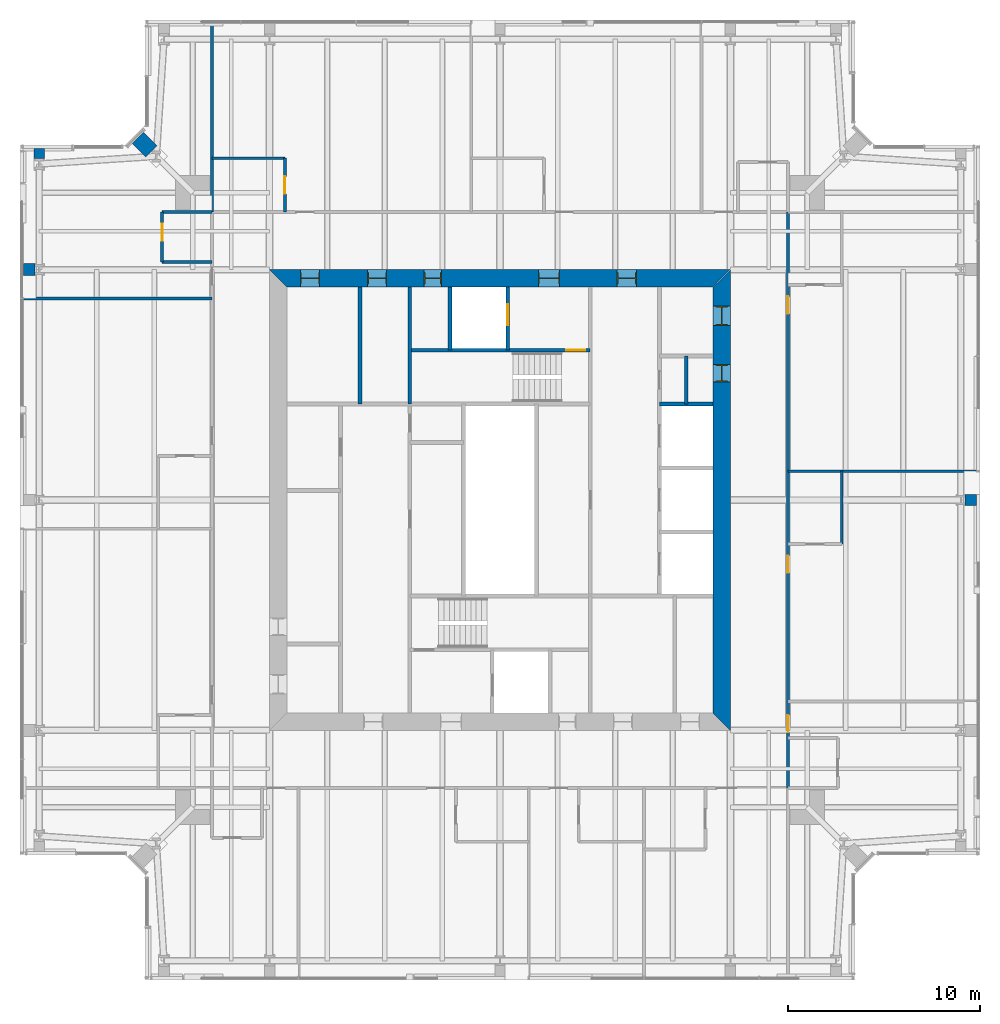
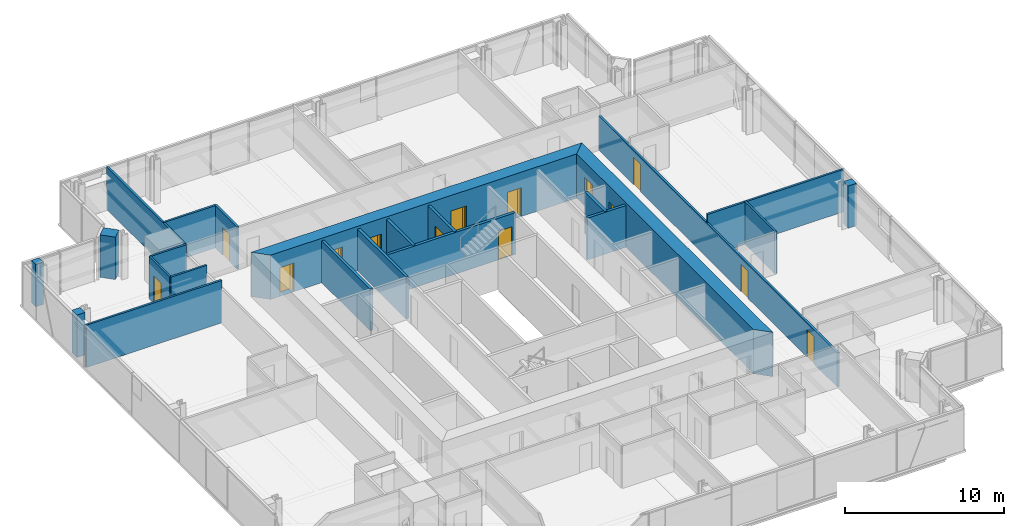
# One storey, part 13 of 20: 23 walls, 14 doors, 14 openings.
"""IFC4 building model written with IfcOpenShell, lengths in metres."""

from ifc_helpers import new_model, si_unit, direction, frame, frame_2d, origin, place, context, subcontext, project, spatial, polyline, rectangle, outline, extrude, material, layer, layer_set, type_object, element, fill, save


model = new_model("IFC4")

# Units and contexts
model_context = context("Model", 3, precision=1e-05, world=origin(), true_north=direction((0.0, 1.0)))
body_context = subcontext(model_context, "Body", "Model", "MODEL_VIEW")
ifc_project = project(units=[si_unit("LENGTHUNIT", "METRE"), si_unit("AREAUNIT", "SQUARE_METRE"), si_unit("VOLUMEUNIT", "CUBIC_METRE"), si_unit("PLANEANGLEUNIT", "RADIAN"), si_unit("MASSUNIT", "GRAM", prefix="KILO")], contexts=[model_context])

# Site, building, storey
site_placement = place(None, origin())
site = spatial("IfcSite", under=ifc_project, at=site_placement, CompositionType="ELEMENT")
building_placement = place(site_placement, origin())
building = spatial("IfcBuilding", under=site, at=building_placement, Name="Fenwick Lantern Interchange", CompositionType="ELEMENT")
storey_placement = place(building_placement, frame((0.0, 0.0, 279.800048828125)))
storey = spatial("IfcBuildingStorey", under=building, at=storey_placement, Name="L67", CompositionType="ELEMENT", Elevation=279.800048828125)

# Walls
ifc_material_1 = material(Name="Fire-rated gypsum board encasement on steel studs, 2 hour", Category="steel")
ifc_layer_1 = layer(ifc_material_1, 0.554931640625)
ifc_layer_set_1 = layer_set([ifc_layer_1], Name="COLUMN PIER 555")
wall_type_1 = type_object("IfcWallType", Name="COLUMN PIER 555", PredefinedType="PARTITIONING", material=ifc_layer_set_1)
wall_1_placement = place(storey_placement, frame((1.0, 43.31005859375, 0.0), z_axis=(0.0, 0.0, 1.0), x_axis=(0.0, -1.0, 0.0)))
element("IfcWall", 1, at=wall_1_placement, inside=storey, type_object=wall_type_1, Name="L67/W/PIER/CW1", PredefinedType="PARTITIONING", context=body_context, shape_type="SweptSolid", body=[
    extrude(rectangle(XDim=0.525634765625, YDim=0.554931640625, at=frame_2d((0.2626953125, 0.0))), origin(), (0.0, 0.0, 1.0), 3.25),
])
ifc_layer_2 = layer(ifc_material_1, 0.574951171875)
ifc_layer_set_2 = layer_set([ifc_layer_2], Name="COLUMN PIER 575")
wall_type_2 = type_object("IfcWallType", Name="COLUMN PIER 575", PredefinedType="PARTITIONING", material=ifc_layer_set_2)
wall_2_placement = place(storey_placement, frame((49.81005859375, 25.0, 0.0), z_axis=(0.0, 0.0, 1.0), x_axis=(-1.0, 0.0, 0.0)))
element("IfcWall", 2, at=wall_2_placement, inside=storey, type_object=wall_type_2, Name="L67/W/PIER/CE3", PredefinedType="PARTITIONING", context=body_context, shape_type="SweptSolid", body=[
    extrude(rectangle(XDim=0.597900390625, YDim=0.574951171875, at=frame_2d((0.298828125, 0.0))), origin(), (0.0, 0.0, 1.0), 3.25),
])
ifc_layer_3 = layer(ifc_material_1, 0.631103515625)
ifc_layer_set_3 = layer_set([ifc_layer_3], Name="COLUMN PIER 631")
wall_type_3 = type_object("IfcWallType", Name="COLUMN PIER 631", PredefinedType="PARTITIONING", material=ifc_layer_set_3)
wall_3_placement = place(storey_placement, frame((0.18994140625, 37.0, 0.0), z_axis=(0.0, 0.0, 1.0), x_axis=(1.0, 0.0, 0.0)))
element("IfcWall", 3, at=wall_3_placement, inside=storey, type_object=wall_type_3, Name="L67/W/PIER/CW2", PredefinedType="PARTITIONING", context=body_context, shape_type="SweptSolid", body=[
    extrude(rectangle(XDim=0.589111328125, YDim=0.631103515625, at=frame_2d((0.29443359375, 0.0))), origin(), (0.0, 0.0, 1.0), 3.25),
])
ifc_layer_4 = layer(ifc_material_1, 0.823974609375)
ifc_layer_set_4 = layer_set([ifc_layer_4], Name="COLUMN PIER 824")
wall_type_4 = type_object("IfcWallType", Name="COLUMN PIER 824", PredefinedType="PARTITIONING", material=ifc_layer_set_4)
wall_4_placement = place(storey_placement, frame((6.13427734375, 43.86572265625, 0.0), z_axis=(0.0, 0.0, 1.0), x_axis=(0.707106781187, -0.707106781187, 0.0)))
element("IfcWall", 4, at=wall_4_placement, inside=storey, type_object=wall_type_4, Name="L67/W/PIER/CNR", PredefinedType="PARTITIONING", context=body_context, shape_type="SweptSolid", body=[
    extrude(rectangle(XDim=1.003662109375, YDim=0.823974609375, at=frame_2d((0.501953125, 0.0))), origin(), (0.0, 0.0, 1.0), 3.25),
])
ifc_material_2 = material(Name="Concrete masonry ASTM C90 Grade N", Category="masonry")
ifc_layer_5 = layer(ifc_material_2, 0.199951171875)
ifc_layer_set_5 = layer_set([ifc_layer_5], Name="Concrete masonry ASTM C90 Grade N")
wall_type_5 = type_object("IfcWallType", Name="CORE PARTITION 200", PredefinedType="PARTITIONING", material=ifc_layer_set_5)
wall_5_placement = place(storey_placement, frame((36.10009765625, 30.0, 0.0), z_axis=(0.0, 0.0, 1.0), x_axis=(-1.0, 0.0, 0.0)))
element("IfcWall", 5, at=wall_5_placement, inside=storey, type_object=wall_type_5, Name="L67/W/COREN/c2", PredefinedType="PARTITIONING", context=body_context, shape_type="SweptSolid", body=[
    extrude(rectangle(XDim=2.800048828125, YDim=0.199951171875, at=frame_2d((1.39990234375, 0.0))), origin(), (0.0, 0.0, 1.0), 3.199951171875),
])

# Wall, opening, door
wall_6_placement = place(storey_placement, frame((25.39990234375, 36.10009765625, 0.0), z_axis=(0.0, 0.0, 1.0), x_axis=(0.0, -1.0, 0.0)))
wall_6 = element("IfcWall", 6, at=wall_6_placement, inside=storey, type_object=wall_type_5, Name="L67/W/COREN/h1", PredefinedType="PARTITIONING", context=body_context, shape_type="SweptSolid", body=[
    extrude(rectangle(XDim=3.300048828125, YDim=0.199951171875, at=frame_2d((1.64990234375, 0.0))), origin(), (0.0, 0.0, 1.0), 3.199951171875),
])
opening_1_placement = place(wall_6_placement, frame((0.89990234375, 0.0, 0.0)))
opening_1 = element("IfcOpeningElement", 7, at=opening_1_placement, cuts=wall_6, Name="Opening LD-FL2", PredefinedType="OPENING", context=body_context, shape_type="SweptSolid", body=[
    extrude(rectangle(XDim=1.10009765625, YDim=2.199951171875, at=frame_2d((0.550048828125, 1.10009765625))), frame((0.0, 0.10986328125, 0.0), z_axis=(0.0, -1.0, 0.0), x_axis=(1.0, 0.0, 0.0)), (0.0, 0.0, 1.0), 0.219970703125),
])
ifc_material_3 = material(Name="Steel door and frame", Category="steel")
door_type_1 = type_object("IfcDoorType", Name="LIFT LANDING DOOR 1100 X 2200", OperationType="DOUBLE_DOOR_SLIDING", PredefinedType="DOOR", material=ifc_material_3)
door_1_placement = place(opening_1_placement, origin())
door_1 = element("IfcDoor", 8, at=door_1_placement, inside=storey, type_object=door_type_1, Name="Lift landing door FL2", OperationType="DOUBLE_DOOR_SLIDING", OverallHeight=2.199951171875, OverallWidth=1.10009765625, PredefinedType="DOOR", context=body_context, shape_type="SweptSolid", body=[
    extrude(rectangle(XDim=1.10009765625, YDim=2.199951171875, at=frame_2d((0.550048828125, 1.10009765625))), frame((0.0, 0.02490234375, 0.0), z_axis=(0.0, -1.0, 0.0), x_axis=(1.0, 0.0, 0.0)), (0.0, 0.0, 1.0), 0.050048828125),
])
fill(opening_1, door_1)

# Walls
wall_7_placement = place(storey_placement, frame((22.39990234375, 36.10009765625, 0.0), z_axis=(0.0, 0.0, 1.0), x_axis=(0.0, -1.0, 0.0)))
element("IfcWall", 9, at=wall_7_placement, inside=storey, type_object=wall_type_5, Name="L67/W/COREN/h2", PredefinedType="PARTITIONING", context=body_context, shape_type="SweptSolid", body=[
    extrude(rectangle(XDim=3.300048828125, YDim=0.199951171875, at=frame_2d((1.64990234375, 0.0))), origin(), (0.0, 0.0, 1.0), 3.199951171875),
])
wall_8_placement = place(storey_placement, frame((17.699951171875, 36.10009765625, 0.0), z_axis=(0.0, 0.0, 1.0), x_axis=(0.0, -1.0, 0.0)))
element("IfcWall", 10, at=wall_8_placement, inside=storey, type_object=wall_type_5, Name="L67/W/COREN/i2", PredefinedType="PARTITIONING", context=body_context, shape_type="SweptSolid", body=[
    extrude(rectangle(XDim=6.10009765625, YDim=0.199951171875, at=frame_2d((3.050048828125, 0.0))), origin(), (0.0, 0.0, 1.0), 3.199951171875),
])
wall_9_placement = place(storey_placement, frame((34.699951171875, 32.5, 0.0), z_axis=(0.0, 0.0, 1.0), x_axis=(0.0, -1.0, 0.0)))
element("IfcWall", 11, at=wall_9_placement, inside=storey, type_object=wall_type_5, Name="L67/W/COREN/px", PredefinedType="PARTITIONING", context=body_context, shape_type="SweptSolid", body=[
    extrude(rectangle(XDim=2.5, YDim=0.199951171875, at=frame_2d((1.25, 0.0))), origin(), (0.0, 0.0, 1.0), 3.199951171875),
])

# Wall, openings, doors
ifc_material_4 = material(Name="Concrete f'c 70 MPa", Category="concrete")
ifc_layer_6 = layer(ifc_material_4, 0.89990234375)
ifc_layer_set_6 = layer_set([ifc_layer_6], Name="CORE WALL 900")
wall_type_6 = type_object("IfcWallType", Name="CORE WALL 900", PredefinedType="SHEAR", material=ifc_layer_set_6)
wall_10_placement = place(storey_placement, frame((36.550048828125, 13.89990234375, 0.0), z_axis=(0.0, 0.0, 1.0), x_axis=(0.0, 1.0, 0.0)))
wall_10 = element("IfcWall", 12, at=wall_10_placement, inside=storey, type_object=wall_type_6, Name="L67/CORE/E", PredefinedType="SHEAR", context=body_context, shape_type="SweptSolid", body=[
    extrude(outline(polyline([(-0.89990234375, -0.449951171875), (23.10009765625, -0.449951171875), (22.199951171875, 0.449951171875), (0.0, 0.449951171875), (-0.89990234375, -0.449951171875)])), origin(), (0.0, 0.0, 1.0), 3.39990234375),
])
opening_2_placement = place(wall_10_placement, frame((20.199951171875, 0.0, 0.0)))
opening_2 = element("IfcOpeningElement", 13, at=opening_2_placement, cuts=wall_10, Name="Opening L67-D018", PredefinedType="OPENING", context=body_context, shape_type="SweptSolid", body=[
    extrude(rectangle(XDim=1.0, YDim=2.199951171875, at=frame_2d((0.5, 1.10009765625))), frame((0.0, 0.4599609375, 0.0), z_axis=(0.0, -1.0, 0.0), x_axis=(1.0, 0.0, 0.0)), (0.0, 0.0, 1.0), 0.919921875),
])
opening_3_placement = place(wall_10_placement, frame((17.25, 0.0, 0.0)))
opening_3 = element("IfcOpeningElement", 14, at=opening_3_placement, cuts=wall_10, Name="Opening L67-D020", PredefinedType="OPENING", context=body_context, shape_type="SweptSolid", body=[
    extrude(rectangle(XDim=0.89990234375, YDim=2.199951171875, at=frame_2d((0.449951171875, 1.10009765625))), frame((0.0, 0.4599609375, 0.0), z_axis=(0.0, -1.0, 0.0), x_axis=(1.0, 0.0, 0.0)), (0.0, 0.0, 1.0), 0.919921875),
])
door_type_2 = type_object("IfcDoorType", Name="SERVICE DOOR 900 X 2200", OperationType="SINGLE_SWING_LEFT", PredefinedType="DOOR", material=ifc_material_3)
door_2_placement = place(opening_3_placement, origin())
door_2 = element("IfcDoor", 15, at=door_2_placement, inside=storey, type_object=door_type_2, Name="Service door", OperationType="SINGLE_SWING_RIGHT", OverallHeight=2.199951171875, OverallWidth=0.89990234375, PredefinedType="DOOR", context=body_context, shape_type="SweptSolid", body=[
    extrude(rectangle(XDim=0.89990234375, YDim=2.199951171875, at=frame_2d((0.449951171875, 1.10009765625))), frame((0.0, 0.02490234375, 0.0), z_axis=(0.0, -1.0, 0.0), x_axis=(1.0, 0.0, 0.0)), (0.0, 0.0, 1.0), 0.050048828125),
    extrude(outline(polyline([(0.0, 0.0), (0.0400390625, 0.0), (0.0400390625, 2.159912109375), (0.85986328125, 2.159912109375), (0.85986328125, 0.0), (0.89990234375, 0.0), (0.89990234375, 2.199951171875), (0.0, 2.199951171875), (0.0, 0.0)])), frame((0.0, 0.300048828125, 0.0), z_axis=(0.0, -1.0, 0.0), x_axis=(1.0, 0.0, 0.0)), (0.0, 0.0, 1.0), 0.60009765625),
])
fill(opening_3, door_2)
ifc_material_5 = material(Name="Hardwood door and steel frame", Category="steel")
door_type_3 = type_object("IfcDoorType", Name="WC DOOR 1000 X 2200", OperationType="SINGLE_SWING_LEFT", PredefinedType="DOOR", material=ifc_material_5)
door_3_placement = place(opening_2_placement, origin())
door_3 = element("IfcDoor", 16, at=door_3_placement, inside=storey, type_object=door_type_3, Name="Wc door", OperationType="SINGLE_SWING_RIGHT", OverallHeight=2.199951171875, OverallWidth=1.0, PredefinedType="DOOR", context=body_context, shape_type="SweptSolid", body=[
    extrude(rectangle(XDim=1.0, YDim=2.199951171875, at=frame_2d((0.5, 1.10009765625))), frame((0.0, 0.02490234375, 0.0), z_axis=(0.0, -1.0, 0.0), x_axis=(1.0, 0.0, 0.0)), (0.0, 0.0, 1.0), 0.050048828125),
    extrude(outline(polyline([(0.0, 0.0), (0.0400390625, 0.0), (0.0400390625, 2.159912109375), (0.9599609375, 2.159912109375), (0.9599609375, 0.0), (1.0, 0.0), (1.0, 2.199951171875), (0.0, 2.199951171875), (0.0, 0.0)])), frame((0.0, 0.300048828125, 0.0), z_axis=(0.0, -1.0, 0.0), x_axis=(1.0, 0.0, 0.0)), (0.0, 0.0, 1.0), 0.60009765625),
])
fill(opening_2, door_3)

wall_11_placement = place(storey_placement, frame((37.0, 36.550048828125, 0.0), z_axis=(0.0, 0.0, 1.0), x_axis=(-1.0, 0.0, 0.0)))
wall_11 = element("IfcWall", 17, at=wall_11_placement, inside=storey, type_object=wall_type_6, Name="L67/CORE/N", PredefinedType="SHEAR", context=body_context, shape_type="SweptSolid", body=[
    extrude(outline(polyline([(0.0, -0.449951171875), (24.0, -0.449951171875), (23.10009765625, 0.449951171875), (0.89990234375, 0.449951171875), (0.0, -0.449951171875)])), origin(), (0.0, 0.0, 1.0), 3.39990234375),
])
opening_4_placement = place(wall_11_placement, frame((4.89990234375, 0.0, 0.0)))
opening_4 = element("IfcOpeningElement", 18, at=opening_4_placement, cuts=wall_11, Name="Opening L67-D012", PredefinedType="OPENING", context=body_context, shape_type="SweptSolid", body=[
    extrude(rectangle(XDim=1.0, YDim=2.199951171875, at=frame_2d((0.5, 1.10009765625))), frame((0.0, 0.4599609375, 0.0), z_axis=(0.0, -1.0, 0.0), x_axis=(1.0, 0.0, 0.0)), (0.0, 0.0, 1.0), 0.919921875),
])
opening_5_placement = place(wall_11_placement, frame((8.89990234375, 0.0, 0.0)))
opening_5 = element("IfcOpeningElement", 19, at=opening_5_placement, cuts=wall_11, Name="Opening L67-D013", PredefinedType="OPENING", context=body_context, shape_type="SweptSolid", body=[
    extrude(rectangle(XDim=1.10009765625, YDim=2.199951171875, at=frame_2d((0.550048828125, 1.10009765625))), frame((0.0, 0.4599609375, 0.0), z_axis=(0.0, -1.0, 0.0), x_axis=(1.0, 0.0, 0.0)), (0.0, 0.0, 1.0), 0.919921875),
])
opening_6_placement = place(wall_11_placement, frame((15.050048828125, 0.0, 0.0)))
opening_6 = element("IfcOpeningElement", 20, at=opening_6_placement, cuts=wall_11, Name="Opening L67-D015", PredefinedType="OPENING", context=body_context, shape_type="SweptSolid", body=[
    extrude(rectangle(XDim=0.89990234375, YDim=2.199951171875, at=frame_2d((0.449951171875, 1.10009765625))), frame((0.0, 0.4599609375, 0.0), z_axis=(0.0, -1.0, 0.0), x_axis=(1.0, 0.0, 0.0)), (0.0, 0.0, 1.0), 0.919921875),
])
opening_7_placement = place(wall_11_placement, frame((17.89990234375, 0.0, 0.0)))
opening_7 = element("IfcOpeningElement", 21, at=opening_7_placement, cuts=wall_11, Name="Opening L67-D016", PredefinedType="OPENING", context=body_context, shape_type="SweptSolid", body=[
    extrude(rectangle(XDim=1.0, YDim=2.199951171875, at=frame_2d((0.5, 1.10009765625))), frame((0.0, 0.4599609375, 0.0), z_axis=(0.0, -1.0, 0.0), x_axis=(1.0, 0.0, 0.0)), (0.0, 0.0, 1.0), 0.919921875),
])
opening_8_placement = place(wall_11_placement, frame((21.39990234375, 0.0, 0.0)))
opening_8 = element("IfcOpeningElement", 22, at=opening_8_placement, cuts=wall_11, Name="Opening L67-D017", PredefinedType="OPENING", context=body_context, shape_type="SweptSolid", body=[
    extrude(rectangle(XDim=1.0, YDim=2.199951171875, at=frame_2d((0.5, 1.10009765625))), frame((0.0, 0.4599609375, 0.0), z_axis=(0.0, -1.0, 0.0), x_axis=(1.0, 0.0, 0.0)), (0.0, 0.0, 1.0), 0.919921875),
])
door_type_4 = type_object("IfcDoorType", Name="CORE LOBBY DOOR 1000 X 2200", OperationType="SINGLE_SWING_LEFT", PredefinedType="DOOR", material=ifc_material_3)
door_4_placement = place(opening_4_placement, origin())
door_4 = element("IfcDoor", 23, at=door_4_placement, inside=storey, type_object=door_type_4, Name="Core lobby door", OperationType="SINGLE_SWING_LEFT", OverallHeight=2.199951171875, OverallWidth=1.0, PredefinedType="DOOR", context=body_context, shape_type="SweptSolid", body=[
    extrude(rectangle(XDim=1.0, YDim=2.199951171875, at=frame_2d((0.5, 1.10009765625))), frame((0.0, 0.02490234375, 0.0), z_axis=(0.0, -1.0, 0.0), x_axis=(1.0, 0.0, 0.0)), (0.0, 0.0, 1.0), 0.050048828125),
    extrude(outline(polyline([(0.0, 0.0), (0.0400390625, 0.0), (0.0400390625, 2.159912109375), (0.9599609375, 2.159912109375), (0.9599609375, 0.0), (1.0, 0.0), (1.0, 2.199951171875), (0.0, 2.199951171875), (0.0, 0.0)])), frame((0.0, 0.300048828125, 0.0), z_axis=(0.0, -1.0, 0.0), x_axis=(1.0, 0.0, 0.0)), (0.0, 0.0, 1.0), 0.60009765625),
])
fill(opening_4, door_4)
door_type_5 = type_object("IfcDoorType", Name="FIRE LOBBY DOOR 1100 X 2200", OperationType="SINGLE_SWING_LEFT", PredefinedType="DOOR", material=ifc_material_3)
door_5_placement = place(opening_5_placement, origin())
door_5 = element("IfcDoor", 24, at=door_5_placement, inside=storey, type_object=door_type_5, Name="Fire lobby door", OperationType="SINGLE_SWING_LEFT", OverallHeight=2.199951171875, OverallWidth=1.10009765625, PredefinedType="DOOR", context=body_context, shape_type="SweptSolid", body=[
    extrude(rectangle(XDim=1.10009765625, YDim=2.199951171875, at=frame_2d((0.550048828125, 1.10009765625))), frame((0.0, 0.02490234375, 0.0), z_axis=(0.0, -1.0, 0.0), x_axis=(1.0, 0.0, 0.0)), (0.0, 0.0, 1.0), 0.050048828125),
    extrude(outline(polyline([(0.0, 0.0), (0.0400390625, 0.0), (0.0400390625, 2.159912109375), (1.06005859375, 2.159912109375), (1.06005859375, 0.0), (1.10009765625, 0.0), (1.10009765625, 2.199951171875), (0.0, 2.199951171875), (0.0, 0.0)])), frame((0.0, 0.300048828125, 0.0), z_axis=(0.0, -1.0, 0.0), x_axis=(1.0, 0.0, 0.0)), (0.0, 0.0, 1.0), 0.60009765625),
])
fill(opening_5, door_5)
door_6_placement = place(opening_6_placement, origin())
door_6 = element("IfcDoor", 25, at=door_6_placement, inside=storey, type_object=door_type_2, Name="Service door", OperationType="SINGLE_SWING_LEFT", OverallHeight=2.199951171875, OverallWidth=0.89990234375, PredefinedType="DOOR", context=body_context, shape_type="SweptSolid", body=[
    extrude(rectangle(XDim=0.89990234375, YDim=2.199951171875, at=frame_2d((0.449951171875, 1.10009765625))), frame((0.0, 0.02490234375, 0.0), z_axis=(0.0, -1.0, 0.0), x_axis=(1.0, 0.0, 0.0)), (0.0, 0.0, 1.0), 0.050048828125),
    extrude(outline(polyline([(0.0, 0.0), (0.0400390625, 0.0), (0.0400390625, 2.159912109375), (0.85986328125, 2.159912109375), (0.85986328125, 0.0), (0.89990234375, 0.0), (0.89990234375, 2.199951171875), (0.0, 2.199951171875), (0.0, 0.0)])), frame((0.0, 0.300048828125, 0.0), z_axis=(0.0, -1.0, 0.0), x_axis=(1.0, 0.0, 0.0)), (0.0, 0.0, 1.0), 0.60009765625),
])
fill(opening_6, door_6)
door_7_placement = place(opening_7_placement, origin())
door_7 = element("IfcDoor", 26, at=door_7_placement, inside=storey, type_object=door_type_3, Name="Wc door", OperationType="SINGLE_SWING_RIGHT", OverallHeight=2.199951171875, OverallWidth=1.0, PredefinedType="DOOR", context=body_context, shape_type="SweptSolid", body=[
    extrude(rectangle(XDim=1.0, YDim=2.199951171875, at=frame_2d((0.5, 1.10009765625))), frame((0.0, 0.02490234375, 0.0), z_axis=(0.0, -1.0, 0.0), x_axis=(1.0, 0.0, 0.0)), (0.0, 0.0, 1.0), 0.050048828125),
    extrude(outline(polyline([(0.0, 0.0), (0.0400390625, 0.0), (0.0400390625, 2.159912109375), (0.9599609375, 2.159912109375), (0.9599609375, 0.0), (1.0, 0.0), (1.0, 2.199951171875), (0.0, 2.199951171875), (0.0, 0.0)])), frame((0.0, 0.300048828125, 0.0), z_axis=(0.0, -1.0, 0.0), x_axis=(1.0, 0.0, 0.0)), (0.0, 0.0, 1.0), 0.60009765625),
])
fill(opening_7, door_7)
door_8_placement = place(opening_8_placement, origin())
door_8 = element("IfcDoor", 27, at=door_8_placement, inside=storey, type_object=door_type_3, Name="Wc door", OperationType="SINGLE_SWING_RIGHT", OverallHeight=2.199951171875, OverallWidth=1.0, PredefinedType="DOOR", context=body_context, shape_type="SweptSolid", body=[
    extrude(rectangle(XDim=1.0, YDim=2.199951171875, at=frame_2d((0.5, 1.10009765625))), frame((0.0, 0.02490234375, 0.0), z_axis=(0.0, -1.0, 0.0), x_axis=(1.0, 0.0, 0.0)), (0.0, 0.0, 1.0), 0.050048828125),
    extrude(outline(polyline([(0.0, 0.0), (0.0400390625, 0.0), (0.0400390625, 2.159912109375), (0.9599609375, 2.159912109375), (0.9599609375, 0.0), (1.0, 0.0), (1.0, 2.199951171875), (0.0, 2.199951171875), (0.0, 0.0)])), frame((0.0, 0.300048828125, 0.0), z_axis=(0.0, -1.0, 0.0), x_axis=(1.0, 0.0, 0.0)), (0.0, 0.0, 1.0), 0.60009765625),
])
fill(opening_8, door_8)

ifc_material_6 = material(Name="Gypsum board on steel studs, 1 hour", Category="steel")
ifc_layer_7 = layer(ifc_material_6, 0.14990234375)
ifc_layer_set_7 = layer_set([ifc_layer_7], Name="CORRIDOR WALL 150")
wall_type_7 = type_object("IfcWallType", Name="CORRIDOR WALL 150", PredefinedType="PARTITIONING", material=ifc_layer_set_7)
wall_12_placement = place(storey_placement, frame((40.0, 10.0, 0.0), z_axis=(0.0, 0.0, 1.0), x_axis=(0.0, 1.0, 0.0)))
wall_12 = element("IfcWall", 28, at=wall_12_placement, inside=storey, type_object=wall_type_7, Name="L67/W/HOTEL/E/CW", PredefinedType="PARTITIONING", context=body_context, shape_type="SweptSolid", body=[
    extrude(rectangle(XDim=30.0, YDim=0.14990234375, at=frame_2d((15.0, 0.0))), origin(), (0.0, 0.0, 1.0), 2.6376953125),
])
opening_9_placement = place(wall_12_placement, frame((2.89990234375, 0.0, 0.0)))
opening_9 = element("IfcOpeningElement", 29, at=opening_9_placement, cuts=wall_12, Name="Opening L67-D030", PredefinedType="OPENING", context=body_context, shape_type="SweptSolid", body=[
    extrude(rectangle(XDim=0.89990234375, YDim=2.10009765625, at=frame_2d((0.449951171875, 1.050048828125))), frame((0.0, 0.0849609375, 0.0), z_axis=(0.0, -1.0, 0.0), x_axis=(1.0, 0.0, 0.0)), (0.0, 0.0, 1.0), 0.169921875),
])
opening_10_placement = place(wall_12_placement, frame((11.199951171875, 0.0, 0.0)))
opening_10 = element("IfcOpeningElement", 30, at=opening_10_placement, cuts=wall_12, Name="Opening L67-D033", PredefinedType="OPENING", context=body_context, shape_type="SweptSolid", body=[
    extrude(rectangle(XDim=0.89990234375, YDim=2.10009765625, at=frame_2d((0.449951171875, 1.050048828125))), frame((0.0, 0.0849609375, 0.0), z_axis=(0.0, -1.0, 0.0), x_axis=(1.0, 0.0, 0.0)), (0.0, 0.0, 1.0), 0.169921875),
])
opening_11_placement = place(wall_12_placement, frame((24.699951171875, 0.0, 0.0)))
opening_11 = element("IfcOpeningElement", 31, at=opening_11_placement, cuts=wall_12, Name="Opening L67-D035", PredefinedType="OPENING", context=body_context, shape_type="SweptSolid", body=[
    extrude(rectangle(XDim=0.89990234375, YDim=2.10009765625, at=frame_2d((0.449951171875, 1.050048828125))), frame((0.0, 0.0849609375, 0.0), z_axis=(0.0, -1.0, 0.0), x_axis=(1.0, 0.0, 0.0)), (0.0, 0.0, 1.0), 0.169921875),
])
door_type_6 = type_object("IfcDoorType", Name="GUEST ROOM DOOR 900 X 2100", OperationType="SINGLE_SWING_LEFT", PredefinedType="DOOR", material=ifc_material_3)
door_9_placement = place(opening_9_placement, frame((0.89990234375, 0.0, 0.0), z_axis=(0.0, 0.0, 1.0), x_axis=(-1.0, 0.0, 0.0)))
door_9 = element("IfcDoor", 32, at=door_9_placement, inside=storey, type_object=door_type_6, Name="Guest room door", OperationType="SINGLE_SWING_RIGHT", OverallHeight=2.10009765625, OverallWidth=0.89990234375, PredefinedType="DOOR", context=body_context, shape_type="SweptSolid", body=[
    extrude(rectangle(XDim=0.89990234375, YDim=2.10009765625, at=frame_2d((0.449951171875, 1.050048828125))), frame((0.0, 0.02490234375, 0.0), z_axis=(0.0, -1.0, 0.0), x_axis=(1.0, 0.0, 0.0)), (0.0, 0.0, 1.0), 0.050048828125),
])
fill(opening_9, door_9)
door_10_placement = place(opening_10_placement, frame((0.89990234375, 0.0, 0.0), z_axis=(0.0, 0.0, 1.0), x_axis=(-1.0, 0.0, 0.0)))
door_10 = element("IfcDoor", 33, at=door_10_placement, inside=storey, type_object=door_type_6, Name="Guest room door", OperationType="SINGLE_SWING_LEFT", OverallHeight=2.10009765625, OverallWidth=0.89990234375, PredefinedType="DOOR", context=body_context, shape_type="SweptSolid", body=[
    extrude(rectangle(XDim=0.89990234375, YDim=2.10009765625, at=frame_2d((0.449951171875, 1.050048828125))), frame((0.0, 0.02490234375, 0.0), z_axis=(0.0, -1.0, 0.0), x_axis=(1.0, 0.0, 0.0)), (0.0, 0.0, 1.0), 0.050048828125),
])
fill(opening_10, door_10)
door_11_placement = place(opening_11_placement, frame((0.89990234375, 0.0, 0.0), z_axis=(0.0, 0.0, 1.0), x_axis=(-1.0, 0.0, 0.0)))
door_11 = element("IfcDoor", 34, at=door_11_placement, inside=storey, type_object=door_type_6, Name="Guest room door", OperationType="SINGLE_SWING_LEFT", OverallHeight=2.10009765625, OverallWidth=0.89990234375, PredefinedType="DOOR", context=body_context, shape_type="SweptSolid", body=[
    extrude(rectangle(XDim=0.89990234375, YDim=2.10009765625, at=frame_2d((0.449951171875, 1.050048828125))), frame((0.0, 0.02490234375, 0.0), z_axis=(0.0, -1.0, 0.0), x_axis=(1.0, 0.0, 0.0)), (0.0, 0.0, 1.0), 0.050048828125),
])
fill(opening_11, door_11)

# Walls
ifc_material_7 = material(Name="Gypsum board on steel studs, moisture resistant", Category="steel")
ifc_layer_8 = layer(ifc_material_7, 0.14990234375)
ifc_layer_set_8 = layer_set([ifc_layer_8], Name="EN-SUITE WALL 150")
wall_type_8 = type_object("IfcWallType", Name="EN-SUITE WALL 150", PredefinedType="PARTITIONING", material=ifc_layer_set_8)
for number, where, z_axis, x_axis, name in (
    (35, (42.800048828125, 22.699951171875, 0.0), (0.0, 0.0, 1.0), (0.0, 1.0, 0.0), "L67/W/HOTEL/E/U2BW"),
    (36, (13.800048828125, 42.800048828125, 0.0), (0.0, 0.0, 1.0), (-1.0, 0.0, 0.0), "L67/W/HOTEL/N/U3BW"),
):
    element("IfcWall", number, at=place(storey_placement, frame(where, z_axis=z_axis, x_axis=x_axis)), inside=storey, type_object=wall_type_8, Name=name, PredefinedType="PARTITIONING", context=body_context, shape_type="SweptSolid", body=[
        extrude(rectangle(XDim=3.800048828125, YDim=0.14990234375, at=frame_2d((1.89990234375, 0.0))), origin(), (0.0, 0.0, 1.0), 3.25),
    ])

# Wall, opening, door
wall_13_placement = place(storey_placement, frame((13.800048828125, 42.800048828125, 0.0), z_axis=(0.0, 0.0, 1.0), x_axis=(0.0, -1.0, 0.0)))
wall_13 = element("IfcWall", 37, at=wall_13_placement, inside=storey, type_object=wall_type_8, Name="L67/W/HOTEL/N/U3BX", PredefinedType="PARTITIONING", context=body_context, shape_type="SweptSolid", body=[
    extrude(rectangle(XDim=2.800048828125, YDim=0.14990234375, at=frame_2d((1.39990234375, 0.0))), origin(), (0.0, 0.0, 1.0), 3.25),
])
opening_12_placement = place(wall_13_placement, frame((0.949951171875, 0.0, 0.0)))
opening_12 = element("IfcOpeningElement", 38, at=opening_12_placement, cuts=wall_13, Name="Opening L67-D040", PredefinedType="OPENING", context=body_context, shape_type="SweptSolid", body=[
    extrude(rectangle(XDim=0.89990234375, YDim=2.10009765625, at=frame_2d((0.449951171875, 1.050048828125))), frame((0.0, 0.0849609375, 0.0), z_axis=(0.0, -1.0, 0.0), x_axis=(1.0, 0.0, 0.0)), (0.0, 0.0, 1.0), 0.169921875),
])
door_type_7 = type_object("IfcDoorType", Name="EN-SUITE DOOR 900 X 2100", OperationType="SINGLE_SWING_LEFT", PredefinedType="DOOR", material=ifc_material_5)
door_12_placement = place(opening_12_placement, frame((0.89990234375, 0.0, 0.0), z_axis=(0.0, 0.0, 1.0), x_axis=(-1.0, 0.0, 0.0)))
door_12 = element("IfcDoor", 39, at=door_12_placement, inside=storey, type_object=door_type_7, Name="En-suite door", OperationType="SINGLE_SWING_RIGHT", OverallHeight=2.10009765625, OverallWidth=0.89990234375, PredefinedType="DOOR", context=body_context, shape_type="SweptSolid", body=[
    extrude(rectangle(XDim=0.89990234375, YDim=2.10009765625, at=frame_2d((0.449951171875, 1.050048828125))), frame((0.0, 0.02490234375, 0.0), z_axis=(0.0, -1.0, 0.0), x_axis=(1.0, 0.0, 0.0)), (0.0, 0.0, 1.0), 0.050048828125),
])
fill(opening_12, door_12)

wall_14_placement = place(storey_placement, frame((7.39990234375, 40.0, 0.0), z_axis=(0.0, 0.0, 1.0), x_axis=(0.0, -1.0, 0.0)))
wall_14 = element("IfcWall", 40, at=wall_14_placement, inside=storey, type_object=wall_type_8, Name="L67/W/HOTEL/W/U1BW", PredefinedType="PARTITIONING", context=body_context, shape_type="SweptSolid", body=[
    extrude(rectangle(XDim=2.60009765625, YDim=0.14990234375, at=frame_2d((1.300048828125, 0.0))), origin(), (0.0, 0.0, 1.0), 3.25),
])
opening_13_placement = place(wall_14_placement, frame((0.60009765625, 0.0, 0.0)))
opening_13 = element("IfcOpeningElement", 41, at=opening_13_placement, cuts=wall_14, Name="Opening L67-D043", PredefinedType="OPENING", context=body_context, shape_type="SweptSolid", body=[
    extrude(rectangle(XDim=0.89990234375, YDim=2.10009765625, at=frame_2d((0.449951171875, 1.050048828125))), frame((0.0, 0.0849609375, 0.0), z_axis=(0.0, -1.0, 0.0), x_axis=(1.0, 0.0, 0.0)), (0.0, 0.0, 1.0), 0.169921875),
])
door_13_placement = place(opening_13_placement, origin())
door_13 = element("IfcDoor", 42, at=door_13_placement, inside=storey, type_object=door_type_7, Name="En-suite door", OperationType="SINGLE_SWING_LEFT", OverallHeight=2.10009765625, OverallWidth=0.89990234375, PredefinedType="DOOR", context=body_context, shape_type="SweptSolid", body=[
    extrude(rectangle(XDim=0.89990234375, YDim=2.10009765625, at=frame_2d((0.449951171875, 1.050048828125))), frame((0.0, 0.02490234375, 0.0), z_axis=(0.0, -1.0, 0.0), x_axis=(1.0, 0.0, 0.0)), (0.0, 0.0, 1.0), 0.050048828125),
])
fill(opening_13, door_13)

# Walls
for number, where, z_axis, x_axis, name in (
    (43, (7.39990234375, 40.0, 0.0), (0.0, 0.0, 1.0), (1.0, 0.0, 0.0), "L67/W/HOTEL/W/U1BX"),
    (44, (7.39990234375, 37.39990234375, 0.0), (0.0, 0.0, 1.0), (1.0, 0.0, 0.0), "L67/W/HOTEL/W/U1BE"),
):
    element("IfcWall", number, at=place(storey_placement, frame(where, z_axis=z_axis, x_axis=x_axis)), inside=storey, type_object=wall_type_8, Name=name, PredefinedType="PARTITIONING", context=body_context, shape_type="SweptSolid", body=[
        extrude(rectangle(XDim=2.60009765625, YDim=0.14990234375, at=frame_2d((1.300048828125, 0.0))), origin(), (0.0, 0.0, 1.0), 3.25),
    ])
ifc_material_8 = material(Name="Gypsum board on steel studs, 1 hour acoustic", Category="steel")
ifc_layer_9 = layer(ifc_material_8, 0.14990234375)
ifc_layer_set_9 = layer_set([ifc_layer_9], Name="PARTY WALL 150")
wall_type_9 = type_object("IfcWallType", Name="PARTY WALL 150", PredefinedType="PARTITIONING", material=ifc_layer_set_9)
for number, where, z_axis, x_axis, name in (
    (45, (49.85009765625, 26.5, 0.0), (0.0, 0.0, 1.0), (-1.0, 0.0, 0.0), "L67/W/HOTEL/E/U3PW"),
    (46, (10.0, 49.85009765625, 0.0), (0.0, 0.0, 1.0), (0.0, -1.0, 0.0), "L67/W/HOTEL/W/SW3"),
    (47, (0.14990234375, 35.5, 0.0), (0.0, 0.0, 1.0), (1.0, 0.0, 0.0), "L67/W/HOTEL/W/U2PW"),
):
    element("IfcWall", number, at=place(storey_placement, frame(where, z_axis=z_axis, x_axis=x_axis)), inside=storey, type_object=wall_type_9, Name=name, PredefinedType="PARTITIONING", context=body_context, shape_type="SweptSolid", body=[
        extrude(rectangle(XDim=9.85009765625, YDim=0.14990234375, at=frame_2d((4.925048828125, 0.0))), origin(), (0.0, 0.0, 1.0), 3.25),
    ])

# Wall, opening, door
ifc_material_9 = material(Name="Concrete f'c 45 MPa", Category="concrete")
ifc_layer_10 = layer(ifc_material_9, 0.199951171875)
ifc_layer_set_10 = layer_set([ifc_layer_10], Name="STAIR CORE WALL 200")
wall_type_10 = type_object("IfcWallType", Name="STAIR CORE WALL 200", PredefinedType="SOLIDWALL", material=ifc_layer_set_10)
wall_15_placement = place(storey_placement, frame((29.699951171875, 32.800048828125, 0.0), z_axis=(0.0, 0.0, 1.0), x_axis=(-1.0, 0.0, 0.0)))
wall_15 = element("IfcWall", 48, at=wall_15_placement, inside=storey, type_object=wall_type_10, Name="L67/W/COREN/g1", PredefinedType="SOLIDWALL", context=body_context, shape_type="SweptSolid", body=[
    extrude(rectangle(XDim=9.39990234375, YDim=0.199951171875, at=frame_2d((4.699951171875, 0.0))), origin(), (0.0, 0.0, 1.0), 3.199951171875),
])
opening_14_placement = place(wall_15_placement, frame((0.25, 0.0, 0.0)))
opening_14 = element("IfcOpeningElement", 49, at=opening_14_placement, cuts=wall_15, Name="Opening L67-D014", PredefinedType="OPENING", context=body_context, shape_type="SweptSolid", body=[
    extrude(rectangle(XDim=1.0, YDim=2.199951171875, at=frame_2d((0.5, 1.10009765625))), frame((0.0, 0.10986328125, 0.0), z_axis=(0.0, -1.0, 0.0), x_axis=(1.0, 0.0, 0.0)), (0.0, 0.0, 1.0), 0.219970703125),
])
door_type_8 = type_object("IfcDoorType", Name="STAIR DOOR 1000 X 2200", OperationType="SINGLE_SWING_LEFT", PredefinedType="DOOR", material=ifc_material_3)
door_14_placement = place(opening_14_placement, origin())
door_14 = element("IfcDoor", 50, at=door_14_placement, inside=storey, type_object=door_type_8, Name="Stair door", OperationType="SINGLE_SWING_LEFT", OverallHeight=2.199951171875, OverallWidth=1.0, PredefinedType="DOOR", context=body_context, shape_type="SweptSolid", body=[
    extrude(rectangle(XDim=1.0, YDim=2.199951171875, at=frame_2d((0.5, 1.10009765625))), frame((0.0, 0.02490234375, 0.0), z_axis=(0.0, -1.0, 0.0), x_axis=(1.0, 0.0, 0.0)), (0.0, 0.0, 1.0), 0.050048828125),
])
fill(opening_14, door_14)

# Wall
wall_16_placement = place(storey_placement, frame((20.300048828125, 36.10009765625, 0.0), z_axis=(0.0, 0.0, 1.0), x_axis=(0.0, -1.0, 0.0)))
element("IfcWall", 51, at=wall_16_placement, inside=storey, type_object=wall_type_10, Name="L67/W/COREN/i1", PredefinedType="SOLIDWALL", context=body_context, shape_type="SweptSolid", body=[
    extrude(rectangle(XDim=6.10009765625, YDim=0.199951171875, at=frame_2d((3.050048828125, 0.0))), origin(), (0.0, 0.0, 1.0), 3.199951171875),
])

save(model, "model.ifc")
